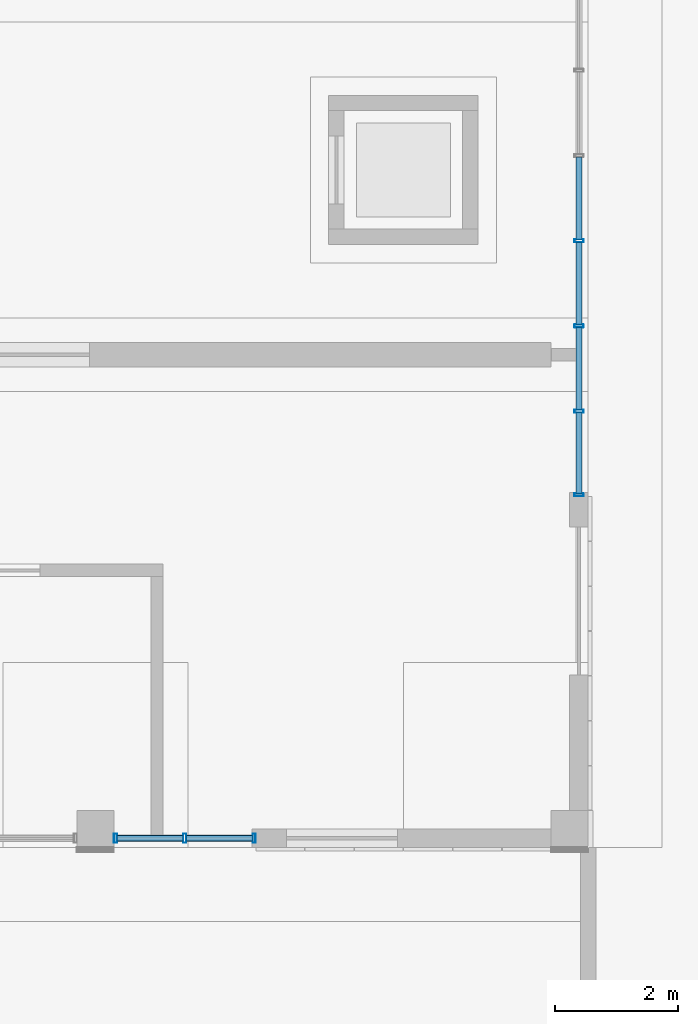
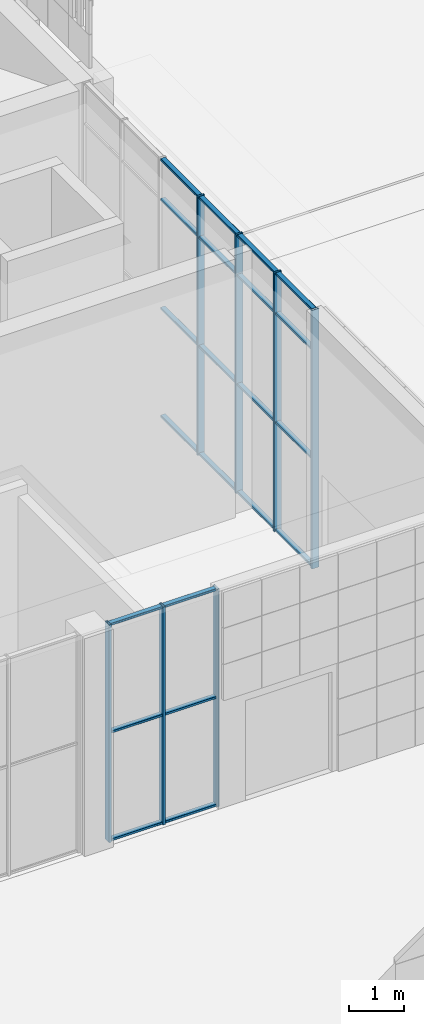
# One storey, part 14 of 125: 29 members, 2 elements without a shape of their own.
"""IFC4 building model written with IfcOpenShell, lengths in metres."""

from ifc_helpers import new_model, si_unit, direction, frame, origin, origin_2d, place, context, subcontext, project, spatial, hollow_rectangle, extrude, material, material_profile, profile_set, type_object, element, aggregate, save


model = new_model("IFC4")

# Units and contexts
model_context = context("Model", 3, precision=1e-05, world=origin(), true_north=direction((0.0, 1.0)))
body_context = subcontext(model_context, "Body", "Model", "MODEL_VIEW")
ifc_project = project(units=[si_unit("LENGTHUNIT", "METRE"), si_unit("AREAUNIT", "SQUARE_METRE"), si_unit("VOLUMEUNIT", "CUBIC_METRE"), si_unit("PLANEANGLEUNIT", "RADIAN"), si_unit("MASSUNIT", "GRAM", prefix="KILO")], contexts=[model_context])

# Site, building, storey
site_placement = place(None, origin())
site = spatial("IfcSite", under=ifc_project, at=site_placement, CompositionType="ELEMENT")
building_placement = place(site_placement, origin())
building = spatial("IfcBuilding", under=site, at=building_placement, Name="Sun Court Science Centre", CompositionType="ELEMENT")
storey_placement = place(building_placement, origin())
storey = spatial("IfcBuildingStorey", under=building, at=storey_placement, Name="L00", CompositionType="ELEMENT", Elevation=0.0)

# Curtain wall, members
ifc_material_1 = material(Name="Aluminium EN AW-6063 T6", Category="aluminium")
curtain_wall_type = type_object("IfcCurtainWallType", Name="Foyer curtain wall 1500", PredefinedType="NOTDEFINED", material=ifc_material_1)
curtain_wall_1_placement = place(storey_placement, origin())
curtain_wall_1 = element("IfcCurtainWall", 1, at=curtain_wall_1_placement, inside=storey, type_object=curtain_wall_type, Name="Curtain wall V3 E L00 01", PredefinedType="NOTDEFINED")
ifc_material_2 = material(Name="Aluminium EN AW-6063 T6", Category="aluminium")
ifc_material_profile_1 = material_profile(ifc_material_2, hollow_rectangle(XDim=0.050048828125, YDim=0.14990234375, WallThickness=0.00390625, InnerFilletRadius=0.00390625, OuterFilletRadius=0.006103515625, at=origin_2d()), Name="AL 50x150x4")
ifc_profile_set_1 = profile_set([ifc_material_profile_1], Name="Aluminium EN AW-6063 T6")
member_type_1 = type_object("IfcMemberType", Name="Curtain wall mullion AL 50x150", PredefinedType="MULLION", material=ifc_profile_set_1)
member_1_placement = place(storey_placement, frame((23.85009765625, 45.72509765625, 0.0), z_axis=(0.0, 0.0, 1.0), x_axis=(0.0, -1.0, 0.0)))
member_1 = element("IfcMember", 2, at=member_1_placement, type_object=member_type_1, Name="CW1-01 mullion 7", PredefinedType="MULLION", context=body_context, shape_type="SweptSolid", body=[
    extrude(hollow_rectangle(XDim=0.050048828125, YDim=0.14990234375, WallThickness=0.00390625, InnerFilletRadius=0.00390625, OuterFilletRadius=0.006103515625, at=origin_2d()), origin(), (0.0, 0.0, 1.0), 5.699951171875),
])
member_2_placement = place(storey_placement, frame((23.85009765625, 47.083251953125, 0.0), z_axis=(0.0, 0.0, 1.0), x_axis=(0.0, -1.0, 0.0)))
member_2 = element("IfcMember", 3, at=member_2_placement, type_object=member_type_1, Name="CW1-01 mullion 6", PredefinedType="MULLION", context=body_context, shape_type="SweptSolid", body=[
    extrude(hollow_rectangle(XDim=0.050048828125, YDim=0.14990234375, WallThickness=0.00390625, InnerFilletRadius=0.00390625, OuterFilletRadius=0.006103515625, at=origin_2d()), origin(), (0.0, 0.0, 1.0), 5.699951171875),
])
member_3_placement = place(storey_placement, frame((23.85009765625, 48.466552734375, 0.0), z_axis=(0.0, 0.0, 1.0), x_axis=(0.0, -1.0, 0.0)))
member_3 = element("IfcMember", 4, at=member_3_placement, type_object=member_type_1, Name="CW1-01 mullion 5", PredefinedType="MULLION", context=body_context, shape_type="SweptSolid", body=[
    extrude(hollow_rectangle(XDim=0.050048828125, YDim=0.14990234375, WallThickness=0.00390625, InnerFilletRadius=0.00390625, OuterFilletRadius=0.006103515625, at=origin_2d()), origin(), (0.0, 0.0, 1.0), 5.699951171875),
])
member_4_placement = place(storey_placement, frame((23.85009765625, 49.85009765625, 0.0), z_axis=(0.0, 0.0, 1.0), x_axis=(0.0, -1.0, 0.0)))
member_4 = element("IfcMember", 5, at=member_4_placement, type_object=member_type_1, Name="CW1-01 mullion 4", PredefinedType="MULLION", context=body_context, shape_type="SweptSolid", body=[
    extrude(hollow_rectangle(XDim=0.050048828125, YDim=0.14990234375, WallThickness=0.00390625, InnerFilletRadius=0.00390625, OuterFilletRadius=0.006103515625, at=origin_2d()), origin(), (0.0, 0.0, 1.0), 5.699951171875),
])

curtain_wall_2_placement = place(storey_placement, origin())
curtain_wall_2 = element("IfcCurtainWall", 6, at=curtain_wall_2_placement, inside=storey, type_object=curtain_wall_type, Name="Curtain wall V3 S L00 01", PredefinedType="NOTDEFINED")
member_5_placement = place(storey_placement, frame((16.324951171875, 40.14990234375, 0.0), z_axis=(0.0, 0.0, 1.0), x_axis=(-1.0, 0.0, 0.0)))
member_5 = element("IfcMember", 7, at=member_5_placement, type_object=member_type_1, Name="CW1-03 mullion 3", PredefinedType="MULLION", context=body_context, shape_type="SweptSolid", body=[
    extrude(hollow_rectangle(XDim=0.050048828125, YDim=0.14990234375, WallThickness=0.00390625, InnerFilletRadius=0.00390625, OuterFilletRadius=0.006103515625, at=origin_2d()), origin(), (0.0, 0.0, 1.0), 4.800048828125),
])
member_6_placement = place(storey_placement, frame((17.449951171875, 40.14990234375, 0.0), z_axis=(0.0, 0.0, 1.0), x_axis=(-1.0, 0.0, 0.0)))
member_6 = element("IfcMember", 8, at=member_6_placement, type_object=member_type_1, Name="CW1-03 mullion 2", PredefinedType="MULLION", context=body_context, shape_type="SweptSolid", body=[
    extrude(hollow_rectangle(XDim=0.050048828125, YDim=0.14990234375, WallThickness=0.00390625, InnerFilletRadius=0.00390625, OuterFilletRadius=0.006103515625, at=origin_2d()), origin(), (0.0, 0.0, 1.0), 4.800048828125),
])
member_7_placement = place(storey_placement, frame((18.574951171875, 40.14990234375, 0.0), z_axis=(0.0, 0.0, 1.0), x_axis=(-1.0, 0.0, 0.0)))
member_7 = element("IfcMember", 9, at=member_7_placement, type_object=member_type_1, Name="CW1-03 mullion 1", PredefinedType="MULLION", context=body_context, shape_type="SweptSolid", body=[
    extrude(hollow_rectangle(XDim=0.050048828125, YDim=0.14990234375, WallThickness=0.00390625, InnerFilletRadius=0.00390625, OuterFilletRadius=0.006103515625, at=origin_2d()), origin(), (0.0, 0.0, 1.0), 4.800048828125),
])

# Member
ifc_material_3 = material(Name="Aluminium EN AW-6063 T6", Category="aluminium")
ifc_material_profile_2 = material_profile(ifc_material_3, hollow_rectangle(XDim=0.050048828125, YDim=0.10009765625, WallThickness=0.00390625, InnerFilletRadius=0.00390625, OuterFilletRadius=0.006103515625, at=origin_2d()), Name="AL 50x100x4")
ifc_profile_set_2 = profile_set([ifc_material_profile_2], Name="Aluminium EN AW-6063 T6")
member_type_2 = type_object("IfcMemberType", Name="Curtain wall transom AL 50x100", PredefinedType="USERDEFINED", material=ifc_profile_set_2)
member_8_placement = place(storey_placement, frame((23.85009765625, 47.058349609375, 0.02490234375), z_axis=(0.0, -1.0, 0.0), x_axis=(0.0, 0.0, 1.0)))
member_8 = element("IfcMember", 10, at=member_8_placement, type_object=member_type_2, Name="CW1-01 transom 6.1", ObjectType="TRANSOM", PredefinedType="USERDEFINED", context=body_context, shape_type="SweptSolid", body=[
    extrude(hollow_rectangle(XDim=0.050048828125, YDim=0.10009765625, WallThickness=0.00390625, InnerFilletRadius=0.00390625, OuterFilletRadius=0.006103515625, at=origin_2d()), origin(), (0.0, 0.0, 1.0), 1.308349609375),
])

member_9_placement = place(storey_placement, frame((23.85009765625, 48.441650390625, 0.02490234375), z_axis=(0.0, -1.0, 0.0), x_axis=(0.0, 0.0, 1.0)))
member_9 = element("IfcMember", 11, at=member_9_placement, type_object=member_type_2, Name="CW1-01 transom 5.1", ObjectType="TRANSOM", PredefinedType="USERDEFINED", context=body_context, shape_type="SweptSolid", body=[
    extrude(hollow_rectangle(XDim=0.050048828125, YDim=0.10009765625, WallThickness=0.00390625, InnerFilletRadius=0.00390625, OuterFilletRadius=0.006103515625, at=origin_2d()), origin(), (0.0, 0.0, 1.0), 1.333251953125),
])

member_10_placement = place(storey_placement, frame((23.85009765625, 49.824951171875, 0.02490234375), z_axis=(0.0, -1.0, 0.0), x_axis=(0.0, 0.0, 1.0)))
member_10 = element("IfcMember", 12, at=member_10_placement, type_object=member_type_2, Name="CW1-01 transom 4.1", ObjectType="TRANSOM", PredefinedType="USERDEFINED", context=body_context, shape_type="SweptSolid", body=[
    extrude(hollow_rectangle(XDim=0.050048828125, YDim=0.10009765625, WallThickness=0.00390625, InnerFilletRadius=0.00390625, OuterFilletRadius=0.006103515625, at=origin_2d()), origin(), (0.0, 0.0, 1.0), 1.333251953125),
])

member_11_placement = place(storey_placement, frame((23.85009765625, 51.208251953125, 0.02490234375), z_axis=(0.0, -1.0, 0.0), x_axis=(0.0, 0.0, 1.0)))
member_11 = element("IfcMember", 13, at=member_11_placement, type_object=member_type_2, Name="CW1-01 transom 3.1", ObjectType="TRANSOM", PredefinedType="USERDEFINED", context=body_context, shape_type="SweptSolid", body=[
    extrude(hollow_rectangle(XDim=0.050048828125, YDim=0.10009765625, WallThickness=0.00390625, InnerFilletRadius=0.00390625, OuterFilletRadius=0.006103515625, at=origin_2d()), origin(), (0.0, 0.0, 1.0), 1.333251953125),
])

member_12_placement = place(storey_placement, frame((23.85009765625, 47.058349609375, 2.39990234375), z_axis=(0.0, -1.0, 0.0), x_axis=(0.0, 0.0, 1.0)))
member_12 = element("IfcMember", 14, at=member_12_placement, type_object=member_type_2, Name="CW1-01 transom 6.2", ObjectType="TRANSOM", PredefinedType="USERDEFINED", context=body_context, shape_type="SweptSolid", body=[
    extrude(hollow_rectangle(XDim=0.050048828125, YDim=0.10009765625, WallThickness=0.00390625, InnerFilletRadius=0.00390625, OuterFilletRadius=0.006103515625, at=origin_2d()), origin(), (0.0, 0.0, 1.0), 1.308349609375),
])

member_13_placement = place(storey_placement, frame((23.85009765625, 48.441650390625, 2.39990234375), z_axis=(0.0, -1.0, 0.0), x_axis=(0.0, 0.0, 1.0)))
member_13 = element("IfcMember", 15, at=member_13_placement, type_object=member_type_2, Name="CW1-01 transom 5.2", ObjectType="TRANSOM", PredefinedType="USERDEFINED", context=body_context, shape_type="SweptSolid", body=[
    extrude(hollow_rectangle(XDim=0.050048828125, YDim=0.10009765625, WallThickness=0.00390625, InnerFilletRadius=0.00390625, OuterFilletRadius=0.006103515625, at=origin_2d()), origin(), (0.0, 0.0, 1.0), 1.333251953125),
])

member_14_placement = place(storey_placement, frame((23.85009765625, 49.824951171875, 2.39990234375), z_axis=(0.0, -1.0, 0.0), x_axis=(0.0, 0.0, 1.0)))
member_14 = element("IfcMember", 16, at=member_14_placement, type_object=member_type_2, Name="CW1-01 transom 4.2", ObjectType="TRANSOM", PredefinedType="USERDEFINED", context=body_context, shape_type="SweptSolid", body=[
    extrude(hollow_rectangle(XDim=0.050048828125, YDim=0.10009765625, WallThickness=0.00390625, InnerFilletRadius=0.00390625, OuterFilletRadius=0.006103515625, at=origin_2d()), origin(), (0.0, 0.0, 1.0), 1.333251953125),
])

member_15_placement = place(storey_placement, frame((23.85009765625, 51.208251953125, 2.39990234375), z_axis=(0.0, -1.0, 0.0), x_axis=(0.0, 0.0, 1.0)))
member_15 = element("IfcMember", 17, at=member_15_placement, type_object=member_type_2, Name="CW1-01 transom 3.2", ObjectType="TRANSOM", PredefinedType="USERDEFINED", context=body_context, shape_type="SweptSolid", body=[
    extrude(hollow_rectangle(XDim=0.050048828125, YDim=0.10009765625, WallThickness=0.00390625, InnerFilletRadius=0.00390625, OuterFilletRadius=0.006103515625, at=origin_2d()), origin(), (0.0, 0.0, 1.0), 1.333251953125),
])

member_16_placement = place(storey_placement, frame((23.85009765625, 47.058349609375, 4.800048828125), z_axis=(0.0, -1.0, 0.0), x_axis=(0.0, 0.0, 1.0)))
member_16 = element("IfcMember", 18, at=member_16_placement, type_object=member_type_2, Name="CW1-01 transom 6.3", ObjectType="TRANSOM", PredefinedType="USERDEFINED", context=body_context, shape_type="SweptSolid", body=[
    extrude(hollow_rectangle(XDim=0.050048828125, YDim=0.10009765625, WallThickness=0.00390625, InnerFilletRadius=0.00390625, OuterFilletRadius=0.006103515625, at=origin_2d()), origin(), (0.0, 0.0, 1.0), 1.308349609375),
])

member_17_placement = place(storey_placement, frame((23.85009765625, 48.441650390625, 4.800048828125), z_axis=(0.0, -1.0, 0.0), x_axis=(0.0, 0.0, 1.0)))
member_17 = element("IfcMember", 19, at=member_17_placement, type_object=member_type_2, Name="CW1-01 transom 5.3", ObjectType="TRANSOM", PredefinedType="USERDEFINED", context=body_context, shape_type="SweptSolid", body=[
    extrude(hollow_rectangle(XDim=0.050048828125, YDim=0.10009765625, WallThickness=0.00390625, InnerFilletRadius=0.00390625, OuterFilletRadius=0.006103515625, at=origin_2d()), origin(), (0.0, 0.0, 1.0), 1.333251953125),
])

member_18_placement = place(storey_placement, frame((23.85009765625, 49.824951171875, 4.800048828125), z_axis=(0.0, -1.0, 0.0), x_axis=(0.0, 0.0, 1.0)))
member_18 = element("IfcMember", 20, at=member_18_placement, type_object=member_type_2, Name="CW1-01 transom 4.3", ObjectType="TRANSOM", PredefinedType="USERDEFINED", context=body_context, shape_type="SweptSolid", body=[
    extrude(hollow_rectangle(XDim=0.050048828125, YDim=0.10009765625, WallThickness=0.00390625, InnerFilletRadius=0.00390625, OuterFilletRadius=0.006103515625, at=origin_2d()), origin(), (0.0, 0.0, 1.0), 1.333251953125),
])

member_19_placement = place(storey_placement, frame((23.85009765625, 51.208251953125, 4.800048828125), z_axis=(0.0, -1.0, 0.0), x_axis=(0.0, 0.0, 1.0)))
member_19 = element("IfcMember", 21, at=member_19_placement, type_object=member_type_2, Name="CW1-01 transom 3.3", ObjectType="TRANSOM", PredefinedType="USERDEFINED", context=body_context, shape_type="SweptSolid", body=[
    extrude(hollow_rectangle(XDim=0.050048828125, YDim=0.10009765625, WallThickness=0.00390625, InnerFilletRadius=0.00390625, OuterFilletRadius=0.006103515625, at=origin_2d()), origin(), (0.0, 0.0, 1.0), 1.333251953125),
])

member_20_placement = place(storey_placement, frame((23.85009765625, 47.058349609375, 5.675048828125), z_axis=(0.0, -1.0, 0.0), x_axis=(0.0, 0.0, 1.0)))
member_20 = element("IfcMember", 22, at=member_20_placement, type_object=member_type_2, Name="CW1-01 transom 6.4", ObjectType="TRANSOM", PredefinedType="USERDEFINED", context=body_context, shape_type="SweptSolid", body=[
    extrude(hollow_rectangle(XDim=0.050048828125, YDim=0.10009765625, WallThickness=0.00390625, InnerFilletRadius=0.00390625, OuterFilletRadius=0.006103515625, at=origin_2d()), origin(), (0.0, 0.0, 1.0), 1.308349609375),
])

member_21_placement = place(storey_placement, frame((23.85009765625, 48.441650390625, 5.675048828125), z_axis=(0.0, -1.0, 0.0), x_axis=(0.0, 0.0, 1.0)))
member_21 = element("IfcMember", 23, at=member_21_placement, type_object=member_type_2, Name="CW1-01 transom 5.4", ObjectType="TRANSOM", PredefinedType="USERDEFINED", context=body_context, shape_type="SweptSolid", body=[
    extrude(hollow_rectangle(XDim=0.050048828125, YDim=0.10009765625, WallThickness=0.00390625, InnerFilletRadius=0.00390625, OuterFilletRadius=0.006103515625, at=origin_2d()), origin(), (0.0, 0.0, 1.0), 1.333251953125),
])

member_22_placement = place(storey_placement, frame((23.85009765625, 49.824951171875, 5.675048828125), z_axis=(0.0, -1.0, 0.0), x_axis=(0.0, 0.0, 1.0)))
member_22 = element("IfcMember", 24, at=member_22_placement, type_object=member_type_2, Name="CW1-01 transom 4.4", ObjectType="TRANSOM", PredefinedType="USERDEFINED", context=body_context, shape_type="SweptSolid", body=[
    extrude(hollow_rectangle(XDim=0.050048828125, YDim=0.10009765625, WallThickness=0.00390625, InnerFilletRadius=0.00390625, OuterFilletRadius=0.006103515625, at=origin_2d()), origin(), (0.0, 0.0, 1.0), 1.333251953125),
])

member_23_placement = place(storey_placement, frame((23.85009765625, 51.208251953125, 5.675048828125), z_axis=(0.0, -1.0, 0.0), x_axis=(0.0, 0.0, 1.0)))
member_23 = element("IfcMember", 25, at=member_23_placement, type_object=member_type_2, Name="CW1-01 transom 3.4", ObjectType="TRANSOM", PredefinedType="USERDEFINED", context=body_context, shape_type="SweptSolid", body=[
    extrude(hollow_rectangle(XDim=0.050048828125, YDim=0.10009765625, WallThickness=0.00390625, InnerFilletRadius=0.00390625, OuterFilletRadius=0.006103515625, at=origin_2d()), origin(), (0.0, 0.0, 1.0), 1.333251953125),
])

aggregate(curtain_wall_1, [member_1, member_2, member_3, member_4, member_8, member_9, member_10, member_11, member_12, member_13, member_14, member_15, member_16, member_17, member_18, member_19, member_20, member_21, member_22, member_23])

member_24_placement = place(storey_placement, frame((17.425048828125, 40.14990234375, 0.02490234375), z_axis=(-1.0, 0.0, 0.0), x_axis=(0.0, 0.0, 1.0)))
member_24 = element("IfcMember", 26, at=member_24_placement, type_object=member_type_2, Name="CW1-03 transom 2.1", ObjectType="TRANSOM", PredefinedType="USERDEFINED", context=body_context, shape_type="SweptSolid", body=[
    extrude(hollow_rectangle(XDim=0.050048828125, YDim=0.10009765625, WallThickness=0.00390625, InnerFilletRadius=0.00390625, OuterFilletRadius=0.006103515625, at=origin_2d()), origin(), (0.0, 0.0, 1.0), 1.074951171875),
])

member_25_placement = place(storey_placement, frame((18.550048828125, 40.14990234375, 0.02490234375), z_axis=(-1.0, 0.0, 0.0), x_axis=(0.0, 0.0, 1.0)))
member_25 = element("IfcMember", 27, at=member_25_placement, type_object=member_type_2, Name="CW1-03 transom 1.1", ObjectType="TRANSOM", PredefinedType="USERDEFINED", context=body_context, shape_type="SweptSolid", body=[
    extrude(hollow_rectangle(XDim=0.050048828125, YDim=0.10009765625, WallThickness=0.00390625, InnerFilletRadius=0.00390625, OuterFilletRadius=0.006103515625, at=origin_2d()), origin(), (0.0, 0.0, 1.0), 1.074951171875),
])

member_26_placement = place(storey_placement, frame((17.425048828125, 40.14990234375, 2.39990234375), z_axis=(-1.0, 0.0, 0.0), x_axis=(0.0, 0.0, 1.0)))
member_26 = element("IfcMember", 28, at=member_26_placement, type_object=member_type_2, Name="CW1-03 transom 2.2", ObjectType="TRANSOM", PredefinedType="USERDEFINED", context=body_context, shape_type="SweptSolid", body=[
    extrude(hollow_rectangle(XDim=0.050048828125, YDim=0.10009765625, WallThickness=0.00390625, InnerFilletRadius=0.00390625, OuterFilletRadius=0.006103515625, at=origin_2d()), origin(), (0.0, 0.0, 1.0), 1.074951171875),
])

member_27_placement = place(storey_placement, frame((18.550048828125, 40.14990234375, 2.39990234375), z_axis=(-1.0, 0.0, 0.0), x_axis=(0.0, 0.0, 1.0)))
member_27 = element("IfcMember", 29, at=member_27_placement, type_object=member_type_2, Name="CW1-03 transom 1.2", ObjectType="TRANSOM", PredefinedType="USERDEFINED", context=body_context, shape_type="SweptSolid", body=[
    extrude(hollow_rectangle(XDim=0.050048828125, YDim=0.10009765625, WallThickness=0.00390625, InnerFilletRadius=0.00390625, OuterFilletRadius=0.006103515625, at=origin_2d()), origin(), (0.0, 0.0, 1.0), 1.074951171875),
])

member_28_placement = place(storey_placement, frame((17.425048828125, 40.14990234375, 4.77490234375), z_axis=(-1.0, 0.0, 0.0), x_axis=(0.0, 0.0, 1.0)))
member_28 = element("IfcMember", 30, at=member_28_placement, type_object=member_type_2, Name="CW1-03 transom 2.3", ObjectType="TRANSOM", PredefinedType="USERDEFINED", context=body_context, shape_type="SweptSolid", body=[
    extrude(hollow_rectangle(XDim=0.050048828125, YDim=0.10009765625, WallThickness=0.00390625, InnerFilletRadius=0.00390625, OuterFilletRadius=0.006103515625, at=origin_2d()), origin(), (0.0, 0.0, 1.0), 1.074951171875),
])

member_29_placement = place(storey_placement, frame((18.550048828125, 40.14990234375, 4.77490234375), z_axis=(-1.0, 0.0, 0.0), x_axis=(0.0, 0.0, 1.0)))
member_29 = element("IfcMember", 31, at=member_29_placement, type_object=member_type_2, Name="CW1-03 transom 1.3", ObjectType="TRANSOM", PredefinedType="USERDEFINED", context=body_context, shape_type="SweptSolid", body=[
    extrude(hollow_rectangle(XDim=0.050048828125, YDim=0.10009765625, WallThickness=0.00390625, InnerFilletRadius=0.00390625, OuterFilletRadius=0.006103515625, at=origin_2d()), origin(), (0.0, 0.0, 1.0), 1.074951171875),
])

aggregate(curtain_wall_2, [member_5, member_6, member_7, member_24, member_25, member_26, member_27, member_28, member_29])

save(model, "model.ifc")
